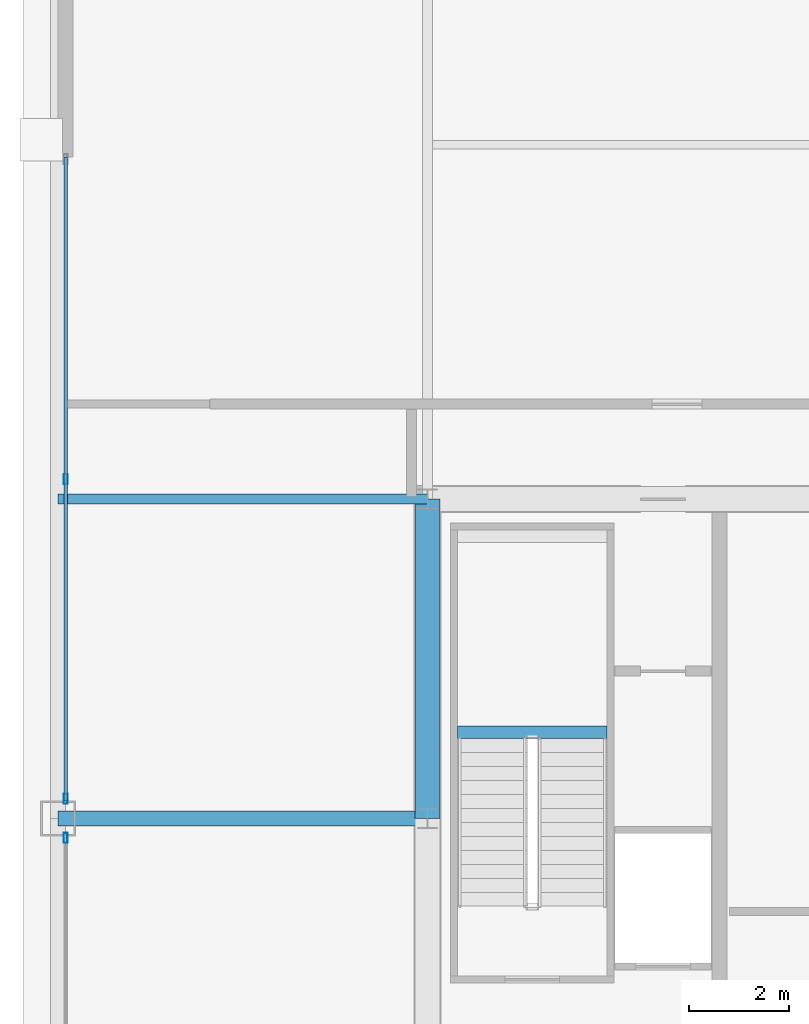
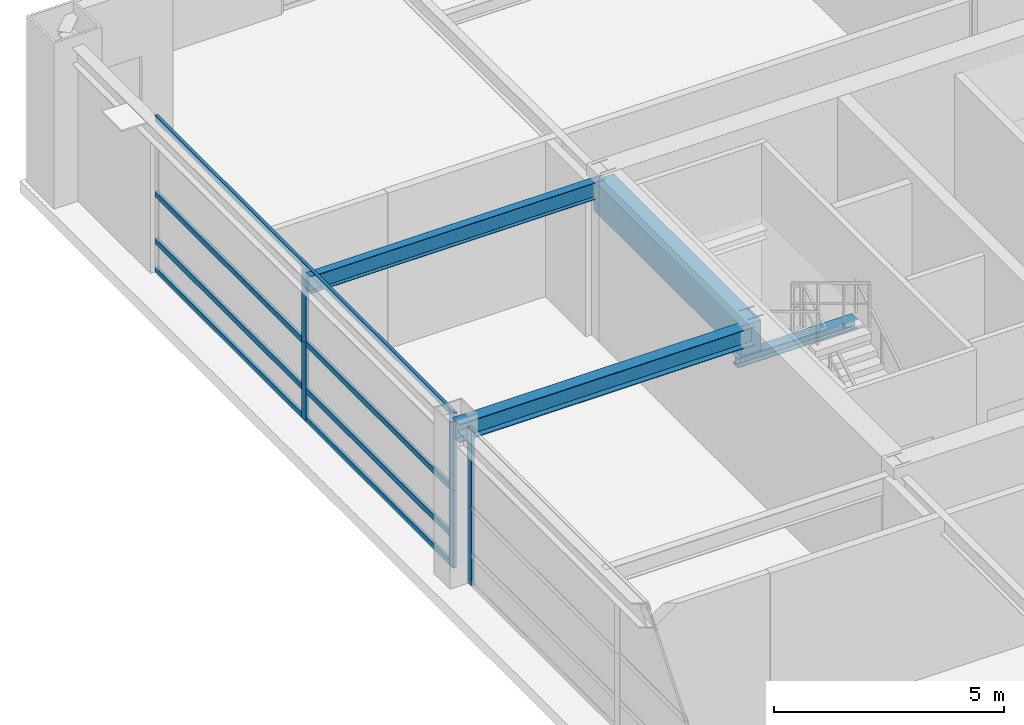
# One storey, part 10 of 26: 10 members, 4 beams, 2 elements without a shape of their own.
"""IFC4 building model written with IfcOpenShell, lengths in metres."""

from ifc_helpers import new_model, si_unit, direction, frame, origin, origin_2d, place, context, subcontext, project, spatial, rectangle, hollow_rectangle, i_section, extrude, source, transform, mapped, material, layer, layer_set, material_profile, profile_set, type_object, element, aggregate, save


model = new_model("IFC4")

# Units and contexts
model_context = context("Model", 3, precision=1e-05, world=origin(), true_north=direction((0.0, 1.0)))
body_context = subcontext(model_context, "Body", "Model", "MODEL_VIEW")
ifc_project = project(units=[si_unit("LENGTHUNIT", "METRE"), si_unit("AREAUNIT", "SQUARE_METRE"), si_unit("VOLUMEUNIT", "CUBIC_METRE"), si_unit("PLANEANGLEUNIT", "RADIAN"), si_unit("MASSUNIT", "GRAM", prefix="KILO"), si_unit("THERMODYNAMICTEMPERATUREUNIT", "KELVIN"), si_unit("POWERUNIT", "WATT")], contexts=[model_context])

# Site, building, storey
site_placement = place(None, origin())
site = spatial("IfcSite", under=ifc_project, at=site_placement, CompositionType="ELEMENT")
building_placement = place(site_placement, origin())
building = spatial("IfcBuilding", under=site, at=building_placement, Name="Yuzanri Waterfront Tower", CompositionType="ELEMENT")
storey_placement = place(building_placement, frame((0.0, 0.0, 259.10009765625)))
storey = spatial("IfcBuildingStorey", under=building, at=storey_placement, Name="L69", CompositionType="ELEMENT", Elevation=259.10009765625)

# Beams
ifc_material_1 = material(Name="Concrete C50", Category="concrete")
ifc_material_profile_1 = material_profile(ifc_material_1, rectangle(XDim=0.5, YDim=0.800048828125, at=origin_2d()), Name="RC 500x800")
ifc_profile_set_1 = profile_set([ifc_material_profile_1], Name="Concrete C50")
beam_type_1 = type_object("IfcBeamType", Name="Core Coupling Lintel Concrete C50 500x800", PredefinedType="LINTEL", material=ifc_profile_set_1)
shared_shape_1 = source(origin(), body_context, "Body", "SweptSolid", [
    extrude(rectangle(XDim=0.5, YDim=0.800048828125, at=origin_2d()), origin(), (0.0, 0.0, 1.0), 6.39990234375),
])
beam_1_placement = place(storey_placement, frame((23.800048828125, 25.800048828125, 3.719970703125), z_axis=(0.0, 1.0, 0.0), x_axis=(-1.0, 0.0, 0.0)))
element("IfcBeam", 1, at=beam_1_placement, inside=storey, type_object=beam_type_1, Name="L69 Core Tie Beam CW2", PredefinedType="LINTEL", context=body_context, shape_type="MappedRepresentation", body=[
    mapped(shared_shape_1, transform((0.0, 0.0, 0.0), scale=1.0)),
])
ifc_material_2 = material(Name="Steel Q355B", Category="steel")
ifc_material_profile_2 = material_profile(ifc_material_2, i_section(OverallWidth=0.300048828125, OverallDepth=0.488037109375, WebThickness=0.010986328125, FlangeThickness=0.01806640625, at=origin_2d()), Name="HM 488x300x11x18")
ifc_profile_set_2 = profile_set([ifc_material_profile_2], Name="Steel Q355B")
beam_type_2 = type_object("IfcBeamType", Name="Primary Floor Girder Q355B HM 488x300", PredefinedType="BEAM", material=ifc_profile_set_2)
shared_shape_2 = source(origin(), body_context, "Body", "SweptSolid", [
    extrude(i_section(OverallWidth=0.300048828125, OverallDepth=0.488037109375, WebThickness=0.010986328125, FlangeThickness=0.01806640625, at=origin_2d()), origin(), (0.0, 0.0, 1.0), 7.400146484375),
])
beam_2_placement = place(storey_placement, frame((23.800048828125, 25.800048828125, 3.8759765625), z_axis=(-1.0, 0.0, 0.0), x_axis=(0.0, -1.0, 0.0)))
element("IfcBeam", 2, at=beam_2_placement, inside=storey, type_object=beam_type_2, Name="L69 West Grid Girder", PredefinedType="BEAM", context=body_context, shape_type="MappedRepresentation", body=[
    mapped(shared_shape_2, transform((0.0, 0.0, 0.0), scale=1.0)),
])
ifc_material_3 = material(Name="Steel Q355B", Category="steel")
ifc_material_profile_3 = material_profile(ifc_material_3, i_section(OverallWidth=0.199951171875, OverallDepth=0.449951171875, WebThickness=0.009033203125, FlangeThickness=0.013916015625, at=origin_2d()), Name="HN 450x200x9x14")
ifc_profile_set_3 = profile_set([ifc_material_profile_3], Name="Steel Q355B")
beam_type_3 = type_object("IfcBeamType", Name="Secondary Floor Beam Q355B HN 450x200", PredefinedType="BEAM", material=ifc_profile_set_3)
shared_shape_3 = source(origin(), body_context, "Body", "SweptSolid", [
    extrude(i_section(OverallWidth=0.199951171875, OverallDepth=0.449951171875, WebThickness=0.009033203125, FlangeThickness=0.013916015625, at=origin_2d()), origin(), (0.0, 0.0, 1.0), 7.400146484375),
])
beam_3_placement = place(storey_placement, frame((23.800048828125, 32.199951171875, 3.89501953125), z_axis=(-1.0, 0.0, 0.0), x_axis=(0.0, -1.0, 0.0)))
element("IfcBeam", 3, at=beam_3_placement, inside=storey, type_object=beam_type_3, Name="L69 West-North Core Line Beam", PredefinedType="BEAM", context=body_context, shape_type="MappedRepresentation", body=[
    mapped(shared_shape_3, transform((0.0, 0.0, 0.0), scale=1.0)),
])

# Curtain wall, members
ifc_material_4 = material(Name="Anodized Architectural Bronze", Category="metal")
ifc_layer = layer(ifc_material_4, 0.159912109375)
ifc_layer_set = layer_set([ifc_layer], Name="Anodized Architectural Bronze")
curtain_wall_type = type_object("IfcCurtainWallType", Name="Anodized Bronze Sky-Lobby Triple-Glazed Feature Curtain Wall 7500", PredefinedType="NOTDEFINED", material=ifc_layer_set)
curtain_wall_1_placement = place(storey_placement, origin())
curtain_wall_1 = element("IfcCurtainWall", 4, at=curtain_wall_1_placement, inside=storey, type_object=curtain_wall_type, Name="L69 Curtain Wall CW-L69-WL", PredefinedType="NOTDEFINED")
ifc_material_5 = material(Name="Anodized Architectural Bronze", Category="metal")
ifc_material_profile_4 = material_profile(ifc_material_5, hollow_rectangle(XDim=0.074951171875, YDim=0.199951171875, WallThickness=0.00390625, at=origin_2d()), Name="CWM 75x200")
ifc_profile_set_4 = profile_set([ifc_material_profile_4], Name="Anodized Architectural Bronze")
member_type_1 = type_object("IfcMemberType", Name="Anodized Bronze Primary Curtain-Wall Mullion 75x200", PredefinedType="MULLION", material=ifc_profile_set_4)
shared_shape_4 = source(origin(), body_context, "Body", "SweptSolid", [
    extrude(hollow_rectangle(XDim=0.074951171875, YDim=0.199951171875, WallThickness=0.00390625, at=origin_2d()), origin(), (0.0, 0.0, 1.0), 2.057861328125),
])
member_1_placement = place(storey_placement, frame((16.550048828125, 25.409912109375, 0.0), z_axis=(0.0, 0.0, 1.0), x_axis=(1.0, 0.0, 0.0)))
member_1 = element("IfcMember", 5, at=member_1_placement, type_object=member_type_1, Name="CW-L69-WL Lower Mullion 02", PredefinedType="MULLION", context=body_context, shape_type="MappedRepresentation", body=[
    mapped(shared_shape_4, transform((0.0, 0.0, 0.0), scale=1.0)),
])
member_2_placement = place(storey_placement, frame((16.550048828125, 25.409912109375, 2.06201171875), z_axis=(0.0, 0.0, 1.0), x_axis=(1.0, 0.0, 0.0)))
member_2 = element("IfcMember", 6, at=member_2_placement, type_object=member_type_1, Name="CW-L69-WL Upper Mullion 02", PredefinedType="MULLION", context=body_context, shape_type="MappedRepresentation", body=[
    mapped(shared_shape_4, transform((0.0, 0.0, 0.0), scale=1.0)),
])
aggregate(curtain_wall_1, [member_1, member_2])

curtain_wall_2_placement = place(storey_placement, origin())
curtain_wall_2 = element("IfcCurtainWall", 7, at=curtain_wall_2_placement, inside=storey, type_object=curtain_wall_type, Name="L69 Curtain Wall CW-L69-WR", PredefinedType="NOTDEFINED")
member_3_placement = place(storey_placement, frame((16.550048828125, 26.18994140625, 0.0), z_axis=(0.0, 0.0, 1.0), x_axis=(1.0, 0.0, 0.0)))
member_3 = element("IfcMember", 8, at=member_3_placement, type_object=member_type_1, Name="CW-L69-WR Lower Mullion 00", PredefinedType="MULLION", context=body_context, shape_type="MappedRepresentation", body=[
    mapped(shared_shape_4, transform((0.0, 0.0, 0.0), scale=1.0)),
])
member_4_placement = place(storey_placement, frame((16.550048828125, 26.18994140625, 2.06201171875), z_axis=(0.0, 0.0, 1.0), x_axis=(1.0, 0.0, 0.0)))
member_4 = element("IfcMember", 9, at=member_4_placement, type_object=member_type_1, Name="CW-L69-WR Upper Mullion 00", PredefinedType="MULLION", context=body_context, shape_type="MappedRepresentation", body=[
    mapped(shared_shape_4, transform((0.0, 0.0, 0.0), scale=1.0)),
])
member_5_placement = place(storey_placement, frame((16.550048828125, 32.60009765625, 0.0), z_axis=(0.0, 0.0, 1.0), x_axis=(1.0, 0.0, 0.0)))
member_5 = element("IfcMember", 10, at=member_5_placement, type_object=member_type_1, Name="CW-L69-WR Lower Mullion 01", PredefinedType="MULLION", context=body_context, shape_type="MappedRepresentation", body=[
    mapped(shared_shape_4, transform((0.0, 0.0, 0.0), scale=1.0)),
])
member_6_placement = place(storey_placement, frame((16.550048828125, 32.60009765625, 2.06201171875), z_axis=(0.0, 0.0, 1.0), x_axis=(1.0, 0.0, 0.0)))
member_6 = element("IfcMember", 11, at=member_6_placement, type_object=member_type_1, Name="CW-L69-WR Upper Mullion 01", PredefinedType="MULLION", context=body_context, shape_type="MappedRepresentation", body=[
    mapped(shared_shape_4, transform((0.0, 0.0, 0.0), scale=1.0)),
])
ifc_material_6 = material(Name="Anodized Architectural Bronze", Category="metal")
ifc_material_profile_5 = material_profile(ifc_material_6, hollow_rectangle(XDim=0.074951171875, YDim=0.14990234375, WallThickness=0.00390625, at=origin_2d()), Name="CWT 75x150")
ifc_profile_set_5 = profile_set([ifc_material_profile_5], Name="Anodized Architectural Bronze")
member_type_2 = type_object("IfcMemberType", Name="Anodized Bronze Primary Curtain-Wall Transom 75x150", PredefinedType="USERDEFINED", material=ifc_profile_set_5)
shared_shape_5 = source(origin(), body_context, "Body", "SweptSolid", [
    extrude(hollow_rectangle(XDim=0.074951171875, YDim=0.14990234375, WallThickness=0.00390625, at=origin_2d()), origin(), (0.0, 0.0, 1.0), 12.900146484375),
])
member_7_placement = place(storey_placement, frame((16.550048828125, 26.14990234375, 0.0498046875), z_axis=(0.0, 1.0, 0.0), x_axis=(-1.0, 0.0, 0.0)))
member_7 = element("IfcMember", 12, at=member_7_placement, type_object=member_type_2, Name="CW-L69-WR Transom 1", ObjectType="TRANSOM", PredefinedType="USERDEFINED", context=body_context, shape_type="MappedRepresentation", body=[
    mapped(shared_shape_5, transform((0.0, 0.0, 0.0), scale=1.0)),
])
member_8_placement = place(storey_placement, frame((16.550048828125, 26.14990234375, 0.81982421875), z_axis=(0.0, 1.0, 0.0), x_axis=(-1.0, 0.0, 0.0)))
member_8 = element("IfcMember", 13, at=member_8_placement, type_object=member_type_2, Name="CW-L69-WR Transom 2", ObjectType="TRANSOM", PredefinedType="USERDEFINED", context=body_context, shape_type="MappedRepresentation", body=[
    mapped(shared_shape_5, transform((0.0, 0.0, 0.0), scale=1.0)),
])
member_9_placement = place(storey_placement, frame((16.550048828125, 26.14990234375, 2.059814453125), z_axis=(0.0, 1.0, 0.0), x_axis=(-1.0, 0.0, 0.0)))
member_9 = element("IfcMember", 14, at=member_9_placement, type_object=member_type_2, Name="CW-L69-WR Transom 3", ObjectType="TRANSOM", PredefinedType="USERDEFINED", context=body_context, shape_type="MappedRepresentation", body=[
    mapped(shared_shape_5, transform((0.0, 0.0, 0.0), scale=1.0)),
])
member_10_placement = place(storey_placement, frame((16.550048828125, 26.14990234375, 4.06982421875), z_axis=(0.0, 1.0, 0.0), x_axis=(-1.0, 0.0, 0.0)))
member_10 = element("IfcMember", 15, at=member_10_placement, type_object=member_type_2, Name="CW-L69-WR Transom 4", ObjectType="TRANSOM", PredefinedType="USERDEFINED", context=body_context, shape_type="MappedRepresentation", body=[
    mapped(shared_shape_5, transform((0.0, 0.0, 0.0), scale=1.0)),
])
aggregate(curtain_wall_2, [member_3, member_4, member_5, member_6, member_7, member_8, member_9, member_10])

# Beam
ifc_material_7 = material(Name="Steel Q355B", Category="steel")
ifc_material_profile_6 = material_profile(ifc_material_7, i_section(OverallWidth=0.25, OverallDepth=0.25, WebThickness=0.009033203125, FlangeThickness=0.013916015625, at=origin_2d()), Name="HW 250x250x9x14")
ifc_profile_set_6 = profile_set([ifc_material_profile_6], Name="Steel Q355B")
beam_type_4 = type_object("IfcBeamType", Name="Stair Landing Support Beam Q355B HW 250x250", PredefinedType="BEAM", material=ifc_profile_set_6)
shared_shape_6 = source(origin(), body_context, "Body", "SweptSolid", [
    extrude(i_section(OverallWidth=0.25, OverallDepth=0.25, WebThickness=0.009033203125, FlangeThickness=0.013916015625, at=origin_2d()), origin(), (0.0, 0.0, 1.0), 3.0),
])
beam_4_placement = place(storey_placement, frame((24.39990234375, 27.530029296875, 1.875), z_axis=(1.0, 0.0, 0.0), x_axis=(0.0, 1.0, 0.0)))
element("IfcBeam", 16, at=beam_4_placement, inside=storey, type_object=beam_type_4, Name="L69 Stair Landing Support Beam ST-01-L69-L1-1", PredefinedType="BEAM", context=body_context, shape_type="MappedRepresentation", body=[
    mapped(shared_shape_6, transform((0.0, 0.0, 0.0), scale=1.0)),
])

save(model, "model.ifc")
